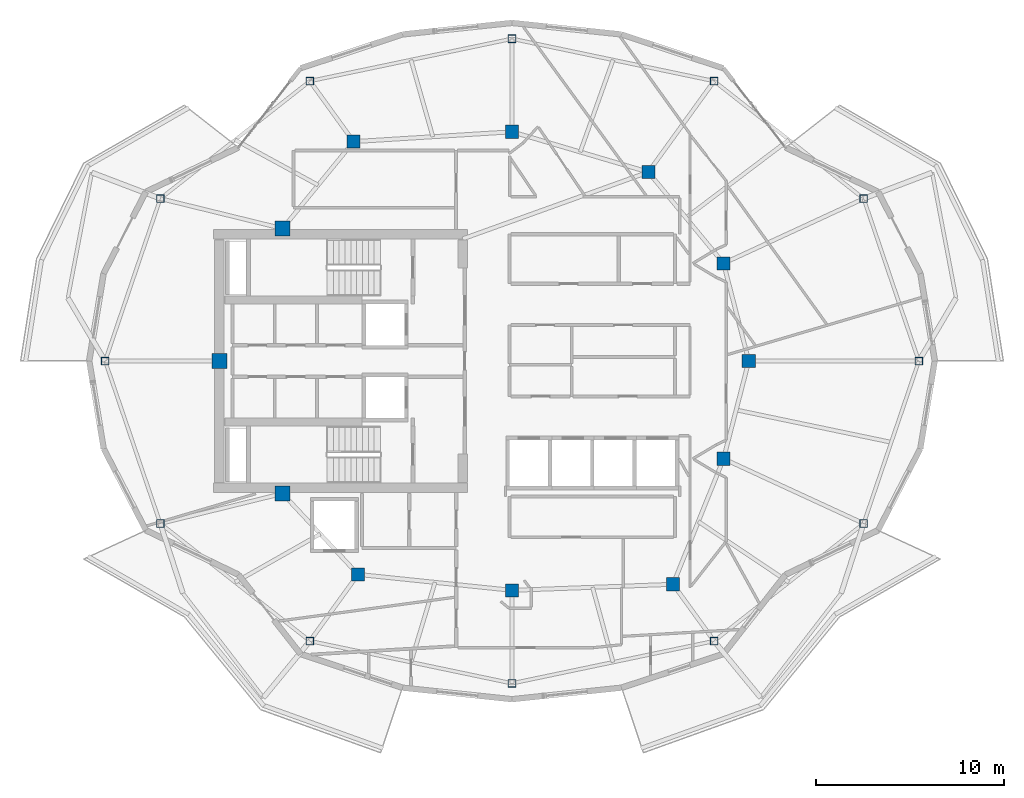
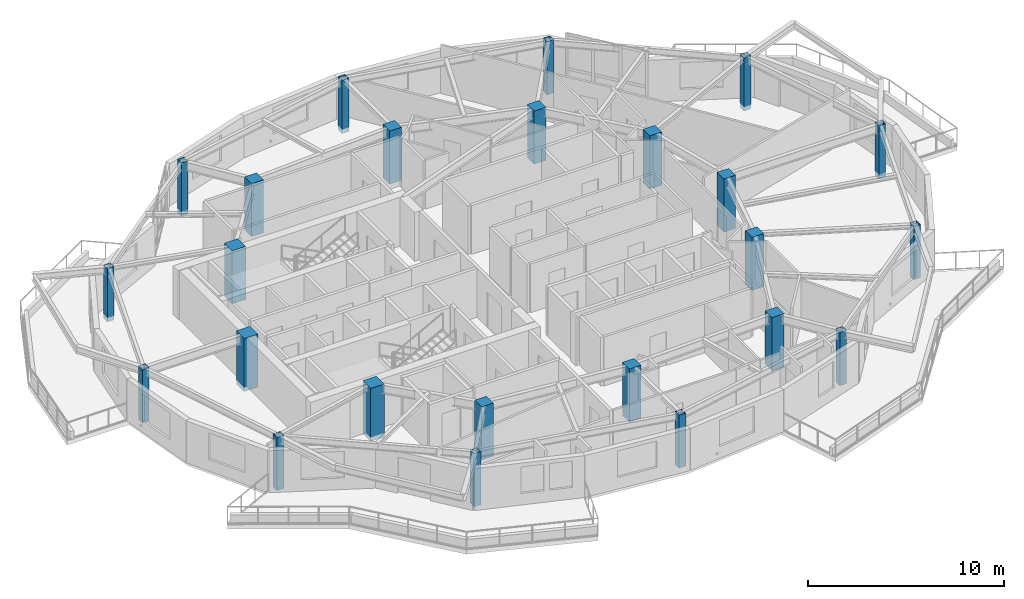
# One storey, part 1 of 14: 24 columns.
"""IFC4 building model written with IfcOpenShell, lengths in metres."""

from ifc_helpers import new_model, si_unit, direction, frame, origin, origin_2d, place, context, subcontext, project, spatial, rectangle, hollow_rectangle, extrude, material, material_profile, profile_set, type_object, element, save


model = new_model("IFC4")

# Units and contexts
model_context = context("Model", 3, precision=1e-05, world=origin(), true_north=direction((0.0, 1.0)))
body_context = subcontext(model_context, "Body", "Model", "MODEL_VIEW")
ifc_project = project(units=[si_unit("LENGTHUNIT", "METRE"), si_unit("AREAUNIT", "SQUARE_METRE"), si_unit("VOLUMEUNIT", "CUBIC_METRE"), si_unit("PLANEANGLEUNIT", "RADIAN"), si_unit("MASSUNIT", "GRAM", prefix="KILO")], contexts=[model_context])

# Site, building, storey
site_placement = place(None, origin())
site = spatial("IfcSite", under=ifc_project, at=site_placement, CompositionType="ELEMENT")
building_placement = place(site_placement, origin())
building = spatial("IfcBuilding", under=site, at=building_placement, Name="Kolvaren Gate Tower and Convention Centre", CompositionType="ELEMENT")
storey_placement = place(building_placement, frame((0.0, 0.0, 245.89990234375)))
storey = spatial("IfcBuildingStorey", under=building, at=storey_placement, Name="L66", CompositionType="ELEMENT", Elevation=245.89990234375)

# Columns
ifc_material_1 = material(Name="Structural steel ASTM A500 Grade C 345 MPa", Category="steel")
ifc_material_profile_1 = material_profile(ifc_material_1, hollow_rectangle(XDim=0.406005859375, YDim=0.406005859375, WallThickness=0.015869140625, at=origin_2d()), Name="HSS406X406X15.9")
ifc_profile_set_1 = profile_set([ifc_material_profile_1], Name="Structural steel ASTM A500 Grade C 345 MPa")
column_type_1 = type_object("IfcColumnType", Name="STR-COL-HSS406", PredefinedType="COLUMN", material=ifc_profile_set_1)
for number, where, z_axis, x_axis, name in (
    (1, (51.77490234375, 27.0, -0.27001953125), (0.0, 0.0, 1.0), (1.0, 0.0, 0.0), "Tower L66 Perimeter Supercolumn TP-01"),
    (2, (48.8388671875, 35.6435546875, -0.27001953125), (0.0, 0.0, 1.0), (1.0, 0.0, 0.0), "Tower L66 Perimeter Supercolumn TP-02"),
    (3, (40.877685546875, 41.899169921875, -0.27001953125), (0.0, 0.0, 1.0), (1.0, 0.0, 0.0), "Tower L66 Perimeter Supercolumn TP-03"),
    (4, (30.125, 44.14990234375, -0.27001953125), (0.0, 0.0, 1.0), (1.0, 0.0, 0.0), "Tower L66 Perimeter Supercolumn TP-04"),
    (5, (19.372314453125, 41.899169921875, -0.27001953125), (0.0, 0.0, 1.0), (1.0, 0.0, 0.0), "Tower L66 Perimeter Supercolumn TP-05"),
    (6, (11.4111328125, 35.6435546875, -0.27001953125), (0.0, 0.0, 1.0), (1.0, 0.0, 0.0), "Tower L66 Perimeter Supercolumn TP-06"),
    (7, (8.47509765625, 27.0, -0.27001953125), (0.0, 0.0, 1.0), (1.0, 0.0, 0.0), "Tower L66 Perimeter Supercolumn TP-07"),
    (8, (11.4111328125, 18.3564453125, -0.27001953125), (0.0, 0.0, 1.0), (1.0, 0.0, 0.0), "Tower L66 Perimeter Supercolumn TP-08"),
    (9, (19.372314453125, 12.100830078125, -0.27001953125), (0.0, 0.0, 1.0), (1.0, 0.0, 0.0), "Tower L66 Perimeter Supercolumn TP-09"),
    (10, (30.125, 9.85009765625, -0.27001953125), (0.0, 0.0, 1.0), (1.0, 0.0, 0.0), "Tower L66 Perimeter Supercolumn TP-10"),
    (11, (40.877685546875, 12.100830078125, -0.27001953125), (0.0, 0.0, 1.0), (1.0, 0.0, 0.0), "Tower L66 Perimeter Supercolumn TP-11"),
    (12, (48.8388671875, 18.3564453125, -0.27001953125), (0.0, 0.0, 1.0), (1.0, 0.0, 0.0), "Tower L66 Perimeter Supercolumn TP-12"),
):
    element("IfcColumn", number, at=place(storey_placement, frame(where, z_axis=z_axis, x_axis=x_axis)), inside=storey, type_object=column_type_1, Name=name, PredefinedType="COLUMN", context=body_context, shape_type="SweptSolid", body=[
        extrude(hollow_rectangle(XDim=0.406005859375, YDim=0.406005859375, WallThickness=0.015869140625, at=origin_2d()), origin(), (0.0, 0.0, 1.0), 3.300048828125),
    ])
ifc_material_2 = material(Name="Concrete C50/60", Category="concrete")
ifc_material_profile_2 = material_profile(ifc_material_2, rectangle(XDim=0.699951171875, YDim=0.699951171875, at=origin_2d()), Name="RC-COL-700X700")
ifc_profile_set_2 = profile_set([ifc_material_profile_2], Name="Concrete C50/60")
column_type_2 = type_object("IfcColumnType", Name="STR-COL-RC700", PredefinedType="COLUMN", material=ifc_profile_set_2)
for number, where, z_axis, x_axis, name in (
    (13, (42.72509765625, 27.0, -0.27001953125), (0.0, 0.0, 1.0), (1.0, 0.0, 0.0), "Tower L66 Interior Column TI-01"),
    (14, (41.382080078125, 32.199462890625, -0.27001953125), (0.0, 0.0, 1.0), (1.0, 0.0, 0.0), "Tower L66 Interior Column TI-02"),
    (15, (37.381591796875, 37.054931640625, -0.27001953125), (0.0, 0.0, 1.0), (1.0, 0.0, 0.0), "Tower L66 Interior Column TI-03"),
    (16, (30.125, 39.199951171875, -0.27001953125), (0.0, 0.0, 1.0), (1.0, 0.0, 0.0), "Tower L66 Interior Column TI-04"),
    (17, (21.697998046875, 38.6767578125, -0.27001953125), (0.0, 0.0, 1.0), (1.0, 0.0, 0.0), "Tower L66 Interior Column TI-05"),
    (18, (21.93212890625, 15.647705078125, -0.27001953125), (0.0, 0.0, 1.0), (1.0, 0.0, 0.0), "Tower L66 Interior Column TI-06"),
    (19, (30.125, 14.800048828125, -0.27001953125), (0.0, 0.0, 1.0), (1.0, 0.0, 0.0), "Tower L66 Interior Column TI-07"),
    (20, (38.6982421875, 15.12060546875, -0.27001953125), (0.0, 0.0, 1.0), (1.0, 0.0, 0.0), "Tower L66 Interior Column TI-08"),
    (21, (41.382080078125, 21.800537109375, -0.27001953125), (0.0, 0.0, 1.0), (1.0, 0.0, 0.0), "Tower L66 Interior Column TI-09"),
):
    element("IfcColumn", number, at=place(storey_placement, frame(where, z_axis=z_axis, x_axis=x_axis)), inside=storey, type_object=column_type_2, Name=name, PredefinedType="COLUMN", context=body_context, shape_type="SweptSolid", body=[
        extrude(rectangle(XDim=0.699951171875, YDim=0.699951171875, at=origin_2d()), origin(), (0.0, 0.0, 1.0), 3.300048828125),
    ])
ifc_material_3 = material(Name="Concrete C60/75", Category="concrete")
ifc_material_profile_3 = material_profile(ifc_material_3, rectangle(XDim=0.800048828125, YDim=0.800048828125, at=origin_2d()), Name="RC-COL-800X800")
ifc_profile_set_3 = profile_set([ifc_material_profile_3], Name="Concrete C60/75")
column_type_3 = type_object("IfcColumnType", Name="STR-PIL-RC800", PredefinedType="PILASTER", material=ifc_profile_set_3)
for number, where, z_axis, x_axis, name in (
    (22, (17.9140625, 34.050048828125, -0.27001953125), (0.0, 0.0, 1.0), (1.0, 0.0, 0.0), "Tower L66 Core Boundary Pilaster TC-05"),
    (23, (14.550048828125, 27.0, -0.27001953125), (0.0, 0.0, 1.0), (1.0, 0.0, 0.0), "Tower L66 Core Boundary Pilaster TC-06"),
    (24, (17.9140625, 19.949951171875, -0.27001953125), (0.0, 0.0, 1.0), (1.0, 0.0, 0.0), "Tower L66 Core Boundary Pilaster TC-07"),
):
    element("IfcColumn", number, at=place(storey_placement, frame(where, z_axis=z_axis, x_axis=x_axis)), inside=storey, type_object=column_type_3, Name=name, PredefinedType="PILASTER", context=body_context, shape_type="SweptSolid", body=[
        extrude(rectangle(XDim=0.800048828125, YDim=0.800048828125, at=origin_2d()), origin(), (0.0, 0.0, 1.0), 3.300048828125),
    ])

save(model, "model.ifc")
